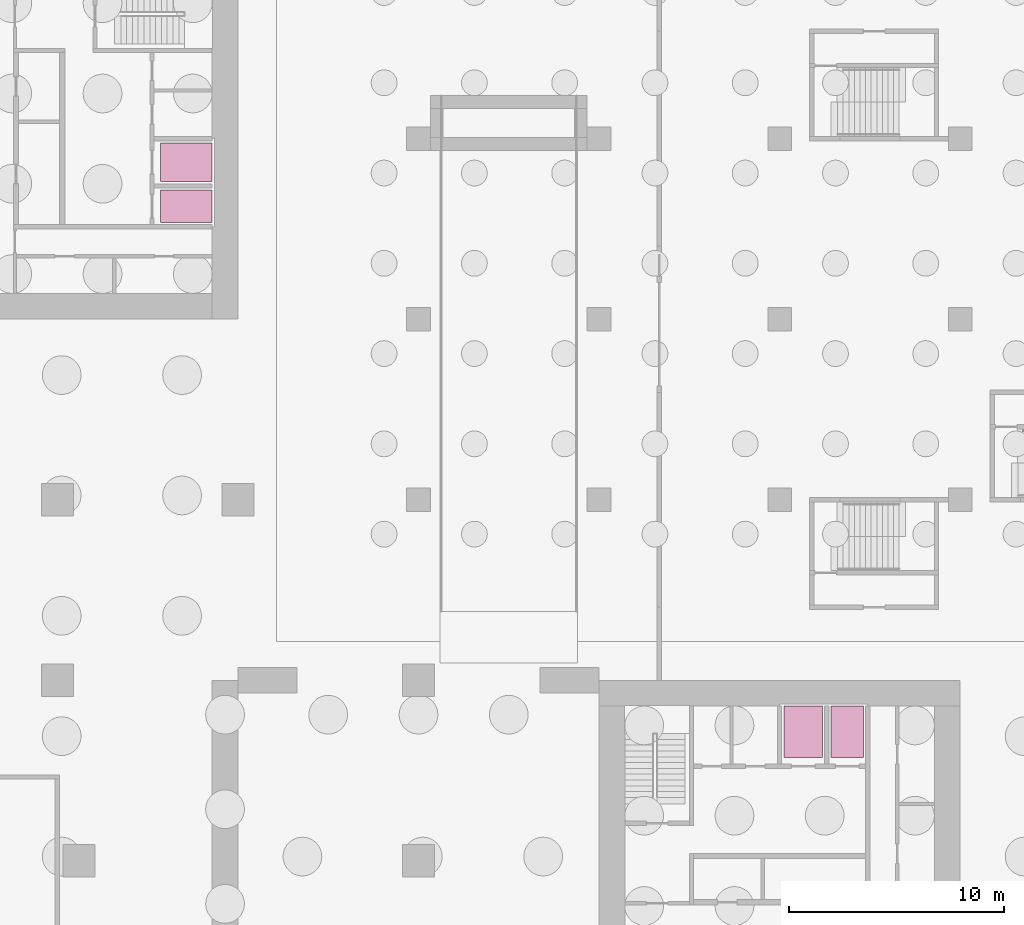
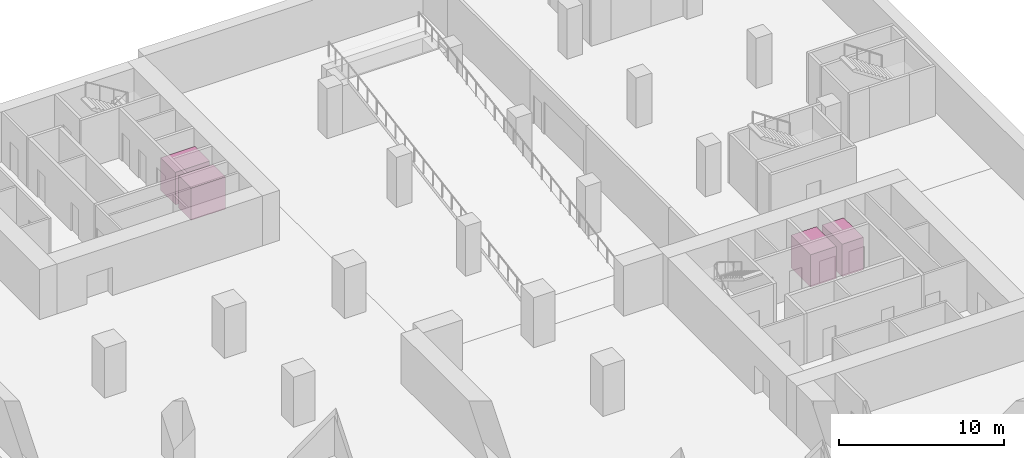
# One storey, part 8 of 8: 4 transport elements.
"""IFC4 building model written with IfcOpenShell, lengths in metres."""

from ifc_helpers import new_model, si_unit, direction, frame, origin, origin_2d, place, context, subcontext, project, spatial, rectangle, extrude, material, type_object, element, save


model = new_model("IFC4")

# Units and contexts
model_context = context("Model", 3, precision=1e-05, world=origin(), true_north=direction((0.0, 1.0)))
body_context = subcontext(model_context, "Body", "Model", "MODEL_VIEW")
ifc_project = project(units=[si_unit("LENGTHUNIT", "METRE"), si_unit("AREAUNIT", "SQUARE_METRE"), si_unit("VOLUMEUNIT", "CUBIC_METRE"), si_unit("PLANEANGLEUNIT", "RADIAN"), si_unit("MASSUNIT", "GRAM", prefix="KILO")], contexts=[model_context])

# Site, building, storey
site_placement = place(None, origin())
site = spatial("IfcSite", under=ifc_project, at=site_placement, CompositionType="ELEMENT")
building_placement = place(site_placement, origin())
building = spatial("IfcBuilding", under=site, at=building_placement, Name="Vermilion Gate Residences", CompositionType="ELEMENT")
storey_placement = place(building_placement, frame((0.0, 0.0, -16.0)))
storey = spatial("IfcBuildingStorey", under=building, at=storey_placement, Name="B4", CompositionType="ELEMENT", Elevation=-16.0)

# Transport elements
ifc_material_1 = material(Name="Stainless steel", Category="steel")
transport_element_type_1 = type_object("IfcTransportElementType", Name="CARGO LIFT 1350 KG", PredefinedType="ELEVATOR", material=ifc_material_1)
transport_element_1_placement = place(storey_placement, frame((53.550048828125, 22.800048828125, 0.0), z_axis=(0.0, 0.0, 1.0), x_axis=(1.0, 0.0, 0.0)))
element("IfcTransportElement", 1, at=transport_element_1_placement, inside=storey, type_object=transport_element_type_1, Name="Service lift LCA1 (cargo, 60 m/min)", PredefinedType="ELEVATOR", context=body_context, shape_type="SweptSolid", body=[
    extrude(rectangle(XDim=1.5, YDim=2.39990234375, at=origin_2d()), origin(), (0.0, 0.0, 1.0), 2.39990234375),
])
transport_element_2_placement = place(storey_placement, frame((22.800048828125, 47.25, 0.0), z_axis=(0.0, 0.0, 1.0), x_axis=(1.0, 0.0, 0.0)))
element("IfcTransportElement", 2, at=transport_element_2_placement, inside=storey, type_object=transport_element_type_1, Name="Service lift LCB1 (cargo, 60 m/min)", PredefinedType="ELEVATOR", context=body_context, shape_type="SweptSolid", body=[
    extrude(rectangle(XDim=2.39990234375, YDim=1.5, at=origin_2d()), origin(), (0.0, 0.0, 1.0), 2.39990234375),
])
ifc_material_2 = material(Name="Stainless steel", Category="steel")
transport_element_type_2 = type_object("IfcTransportElementType", Name="FIRE-FIGHTING LIFT 1800 KG", PredefinedType="ELEVATOR", material=ifc_material_2)
transport_element_3_placement = place(storey_placement, frame((51.5, 22.800048828125, 0.0), z_axis=(0.0, 0.0, 1.0), x_axis=(1.0, 0.0, 0.0)))
element("IfcTransportElement", 3, at=transport_element_3_placement, inside=storey, type_object=transport_element_type_2, Name="Fire-fighting lift LFA1 (fire-fighting and evacuation, 240 m/min)", PredefinedType="ELEVATOR", context=body_context, shape_type="SweptSolid", body=[
    extrude(rectangle(XDim=1.800048828125, YDim=2.39990234375, at=origin_2d()), origin(), (0.0, 0.0, 1.0), 2.39990234375),
])
transport_element_4_placement = place(storey_placement, frame((22.800048828125, 49.300048828125, 0.0), z_axis=(0.0, 0.0, 1.0), x_axis=(1.0, 0.0, 0.0)))
element("IfcTransportElement", 4, at=transport_element_4_placement, inside=storey, type_object=transport_element_type_2, Name="Fire-fighting lift LFB1 (fire-fighting and evacuation, 240 m/min)", PredefinedType="ELEVATOR", context=body_context, shape_type="SweptSolid", body=[
    extrude(rectangle(XDim=2.39990234375, YDim=1.800048828125, at=origin_2d()), origin(), (0.0, 0.0, 1.0), 2.39990234375),
])

save(model, "model.ifc")
